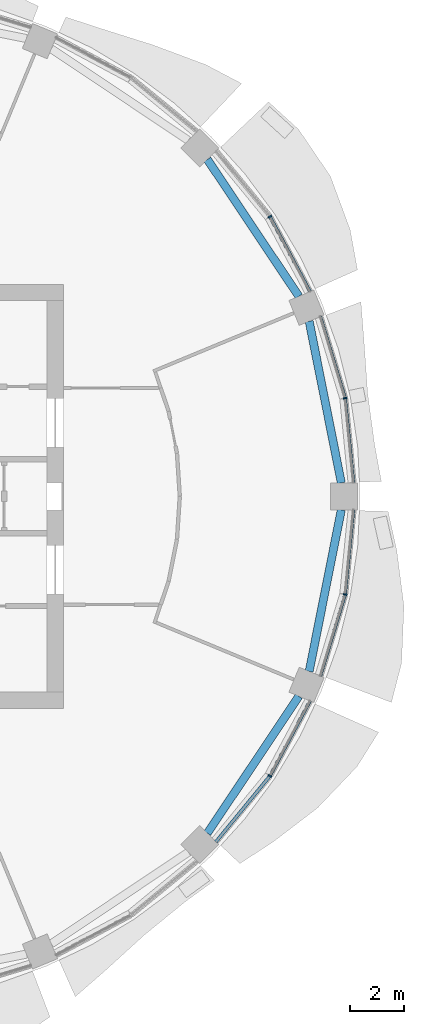
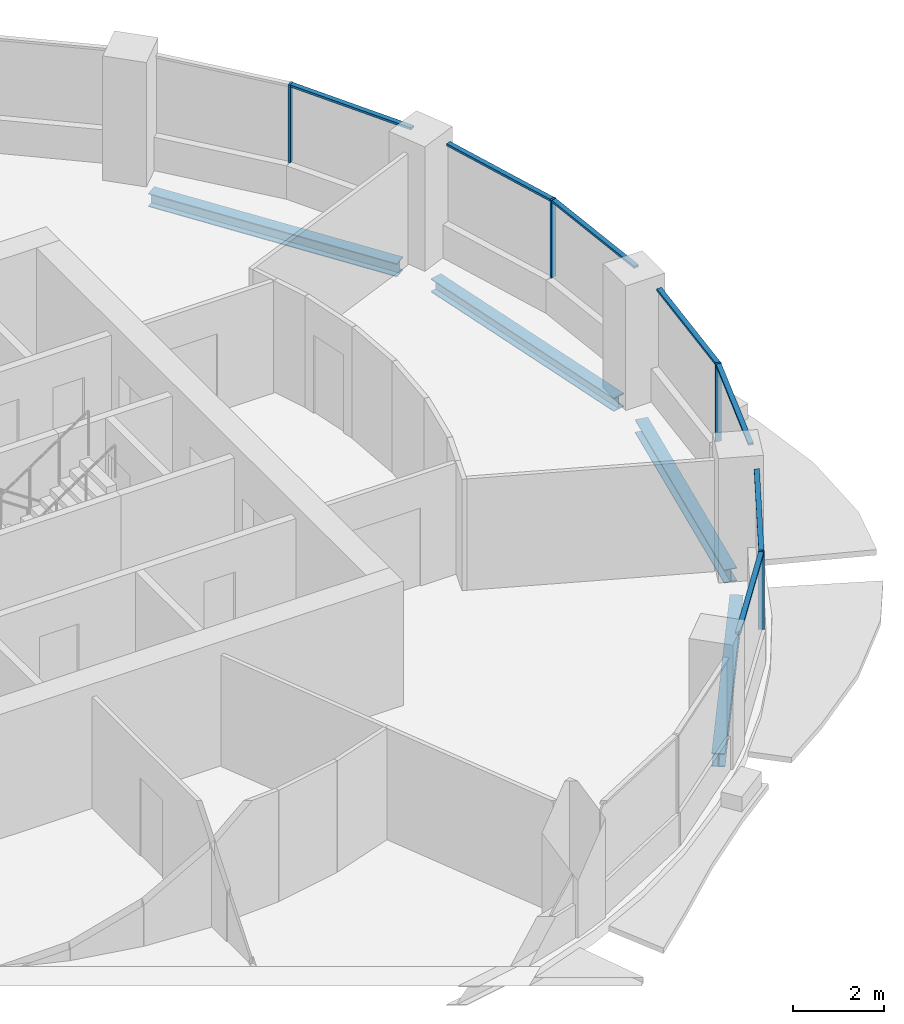
# One storey, part 5 of 14: 11 members, 4 beams, 4 elements without a shape of their own.
"""IFC4 building model written with IfcOpenShell, lengths in metres."""

from ifc_helpers import new_model, si_unit, direction, frame, origin, origin_2d, place, context, subcontext, project, spatial, rectangle, i_section, extrude, material, material_profile, profile_set, type_object, element, aggregate, save


model = new_model("IFC4")

# Units and contexts
model_context = context("Model", 3, precision=1e-05, world=origin(), true_north=direction((0.0, 1.0)))
body_context = subcontext(model_context, "Body", "Model", "MODEL_VIEW")
ifc_project = project(units=[si_unit("LENGTHUNIT", "METRE"), si_unit("AREAUNIT", "SQUARE_METRE"), si_unit("VOLUMEUNIT", "CUBIC_METRE"), si_unit("PLANEANGLEUNIT", "RADIAN"), si_unit("MASSUNIT", "GRAM", prefix="KILO")], contexts=[model_context])

# Site, building, storey
site_placement = place(None, origin())
site = spatial("IfcSite", under=ifc_project, at=site_placement, CompositionType="ELEMENT")
building_placement = place(site_placement, origin())
building = spatial("IfcBuilding", under=site, at=building_placement, Name="Polderwave Tower", CompositionType="ELEMENT")
storey_placement = place(building_placement, frame((0.0, 0.0, 147.75)))
storey = spatial("IfcBuildingStorey", under=building, at=storey_placement, Name="L39", CompositionType="ELEMENT", Elevation=147.75)

# Curtain wall, member
ifc_material_1 = material(Name="Aluminium 6063-T6 and glass", Category="aluminium")
curtain_wall_type = type_object("IfcCurtainWallType", Name="Office ribbon glazing wall", PredefinedType="NOTDEFINED", material=ifc_material_1)
curtain_wall_1_placement = place(storey_placement, origin())
curtain_wall_1 = element("IfcCurtainWall", 1, at=curtain_wall_1_placement, inside=storey, type_object=curtain_wall_type, Name="CW3 L39 00", PredefinedType="NOTDEFINED")
ifc_material_2 = material(Name="Aluminium 6063-T6", Category="aluminium")
ifc_material_profile_1 = material_profile(ifc_material_2, rectangle(XDim=0.139892578125, YDim=0.054931640625, at=origin_2d()), Name="AL 55x140")
ifc_profile_set_1 = profile_set([ifc_material_profile_1], Name="Aluminium 6063-T6")
member_type_1 = type_object("IfcMemberType", Name="Office ribbon glazing mullion 55x140", PredefinedType="MULLION", material=ifc_profile_set_1)
member_1_placement = place(storey_placement, frame((18.341064453125, 3.64794921875, 0.89990234375), z_axis=(0.0, 0.0, 1.0), x_axis=(-0.980764163857, -0.195196452055, 0.0)))
member_1 = element("IfcMember", 2, at=member_1_placement, type_object=member_type_1, Name="CW3 mullion 1", PredefinedType="MULLION", context=body_context, shape_type="SweptSolid", body=[
    extrude(rectangle(XDim=0.139892578125, YDim=0.054931640625, at=origin_2d()), origin(), (0.0, 0.0, 1.0), 2.10009765625),
])

curtain_wall_2_placement = place(storey_placement, origin())
curtain_wall_2 = element("IfcCurtainWall", 3, at=curtain_wall_2_placement, inside=storey, type_object=curtain_wall_type, Name="CW3 L39 01", PredefinedType="NOTDEFINED")
member_2_placement = place(storey_placement, frame((15.548095703125, 10.388916015625, 0.89990234375), z_axis=(0.0, 0.0, 1.0), x_axis=(-0.831508396395, -0.555512184136, 0.0)))
member_2 = element("IfcMember", 4, at=member_2_placement, type_object=member_type_1, Name="CW3 mullion 1", PredefinedType="MULLION", context=body_context, shape_type="SweptSolid", body=[
    extrude(rectangle(XDim=0.139892578125, YDim=0.054931640625, at=origin_2d()), origin(), (0.0, 0.0, 1.0), 2.10009765625),
])

curtain_wall_3_placement = place(storey_placement, origin())
curtain_wall_3 = element("IfcCurtainWall", 5, at=curtain_wall_3_placement, inside=storey, type_object=curtain_wall_type, Name="CW3 L39 14", PredefinedType="NOTDEFINED")
member_3_placement = place(storey_placement, frame((15.548095703125, -10.388916015625, 0.89990234375), z_axis=(0.0, 0.0, 1.0), x_axis=(-0.831508396395, 0.555512184136, 0.0)))
member_3 = element("IfcMember", 6, at=member_3_placement, type_object=member_type_1, Name="CW3 mullion 1", PredefinedType="MULLION", context=body_context, shape_type="SweptSolid", body=[
    extrude(rectangle(XDim=0.139892578125, YDim=0.054931640625, at=origin_2d()), origin(), (0.0, 0.0, 1.0), 2.10009765625),
])

curtain_wall_4_placement = place(storey_placement, origin())
curtain_wall_4 = element("IfcCurtainWall", 7, at=curtain_wall_4_placement, inside=storey, type_object=curtain_wall_type, Name="CW3 L39 15", PredefinedType="NOTDEFINED")
member_4_placement = place(storey_placement, frame((18.341064453125, -3.64794921875, 0.89990234375), z_axis=(0.0, 0.0, 1.0), x_axis=(-0.980764163857, 0.195196452055, 0.0)))
member_4 = element("IfcMember", 8, at=member_4_placement, type_object=member_type_1, Name="CW3 mullion 1", PredefinedType="MULLION", context=body_context, shape_type="SweptSolid", body=[
    extrude(rectangle(XDim=0.139892578125, YDim=0.054931640625, at=origin_2d()), origin(), (0.0, 0.0, 1.0), 2.10009765625),
])

# Member
ifc_material_profile_2 = material_profile(ifc_material_2, rectangle(XDim=0.1201171875, YDim=0.06005859375, at=origin_2d()), Name="AL 60x120")
ifc_profile_set_2 = profile_set([ifc_material_profile_2], Name="Aluminium 6063-T6")
member_type_2 = type_object("IfcMemberType", Name="Office ribbon glazing transom 60x120", PredefinedType="USERDEFINED", material=ifc_profile_set_2)
member_5_placement = place(storey_placement, frame((18.65087890625, 0.5, 2.969970703125), z_axis=(-0.097946420382, 0.995191689442, 0.0), x_axis=(-0.995191689442, -0.097946420382, 0.0)))
member_5 = element("IfcMember", 9, at=member_5_placement, type_object=member_type_2, Name="CW3 transom 1", ObjectType="TRANSOM", PredefinedType="USERDEFINED", context=body_context, shape_type="SweptSolid", body=[
    extrude(rectangle(XDim=0.1201171875, YDim=0.06005859375, at=origin_2d()), origin(), (0.0, 0.0, 1.0), 3.1357421875),
])

member_6_placement = place(storey_placement, frame((18.3330078125, 3.67431640625, 2.969970703125), z_axis=(-0.290467601512, 0.956884827172, 0.0), x_axis=(-0.956884827172, -0.290467601512, 0.0)))
member_6 = element("IfcMember", 10, at=member_6_placement, type_object=member_type_2, Name="CW3 transom 2", ObjectType="TRANSOM", PredefinedType="USERDEFINED", context=body_context, shape_type="SweptSolid", body=[
    extrude(rectangle(XDim=0.1201171875, YDim=0.06005859375, at=origin_2d()), origin(), (0.0, 0.0, 1.0), 3.135986328125),
])

aggregate(curtain_wall_1, [member_1, member_5, member_6])

member_7_placement = place(storey_placement, frame((17.0400390625, 7.59912109375, 2.969970703125), z_axis=(-0.471581867996, 0.881822284691, 0.0), x_axis=(-0.881822284691, -0.471581867996, 0.0)))
member_7 = element("IfcMember", 11, at=member_7_placement, type_object=member_type_2, Name="CW3 transom 1", ObjectType="TRANSOM", PredefinedType="USERDEFINED", context=body_context, shape_type="SweptSolid", body=[
    extrude(rectangle(XDim=0.1201171875, YDim=0.06005859375, at=origin_2d()), origin(), (0.0, 0.0, 1.0), 3.13623046875),
])

aggregate(curtain_wall_2, [member_2, member_7])

member_8_placement = place(storey_placement, frame((13.5419921875, -12.8349609375, 2.969970703125), z_axis=(0.634153141657, 0.773207470816, 0.0), x_axis=(-0.773207470816, 0.634153141657, 0.0)))
member_8 = element("IfcMember", 12, at=member_8_placement, type_object=member_type_2, Name="CW3 transom 1", ObjectType="TRANSOM", PredefinedType="USERDEFINED", context=body_context, shape_type="SweptSolid", body=[
    extrude(rectangle(XDim=0.1201171875, YDim=0.06005859375, at=origin_2d()), origin(), (0.0, 0.0, 1.0), 3.1357421875),
])

member_9_placement = place(storey_placement, frame((15.56103515625, -10.36474609375, 2.969970703125), z_axis=(0.471581867996, 0.881822284691, 0.0), x_axis=(-0.881822284691, 0.471581867996, 0.0)))
member_9 = element("IfcMember", 13, at=member_9_placement, type_object=member_type_2, Name="CW3 transom 2", ObjectType="TRANSOM", PredefinedType="USERDEFINED", context=body_context, shape_type="SweptSolid", body=[
    extrude(rectangle(XDim=0.1201171875, YDim=0.06005859375, at=origin_2d()), origin(), (0.0, 0.0, 1.0), 3.13623046875),
])

aggregate(curtain_wall_3, [member_3, member_8, member_9])

member_10_placement = place(storey_placement, frame((17.422119140625, -6.675048828125, 2.969970703125), z_axis=(0.290467601512, 0.956884827172, 0.0), x_axis=(-0.956884827172, 0.290467601512, 0.0)))
member_10 = element("IfcMember", 14, at=member_10_placement, type_object=member_type_2, Name="CW3 transom 1", ObjectType="TRANSOM", PredefinedType="USERDEFINED", context=body_context, shape_type="SweptSolid", body=[
    extrude(rectangle(XDim=0.1201171875, YDim=0.06005859375, at=origin_2d()), origin(), (0.0, 0.0, 1.0), 3.135986328125),
])

member_11_placement = place(storey_placement, frame((18.34375, -3.62060546875, 2.969970703125), z_axis=(0.097946420382, 0.995191689442, 0.0), x_axis=(-0.995191689442, 0.097946420382, 0.0)))
member_11 = element("IfcMember", 15, at=member_11_placement, type_object=member_type_2, Name="CW3 transom 2", ObjectType="TRANSOM", PredefinedType="USERDEFINED", context=body_context, shape_type="SweptSolid", body=[
    extrude(rectangle(XDim=0.1201171875, YDim=0.06005859375, at=origin_2d()), origin(), (0.0, 0.0, 1.0), 3.1357421875),
])

aggregate(curtain_wall_4, [member_4, member_10, member_11])

# Beams
ifc_material_3 = material(Name="Steel S355", Category="steel")
ifc_material_profile_3 = material_profile(ifc_material_3, i_section(OverallWidth=0.300048828125, OverallDepth=0.360107421875, WebThickness=0.012451171875, FlangeThickness=0.0224609375, at=origin_2d()), Name="HE 360 B")
ifc_profile_set_3 = profile_set([ifc_material_profile_3], Name="Steel S355")
beam_type = type_object("IfcBeamType", Name="RING BEAM HE 360 B", PredefinedType="BEAM", material=ifc_profile_set_3)
beam_1_placement = place(storey_placement, frame((18.200439453125, 0.5, -0.530029296875), z_axis=(-0.195088165617, 0.980785709335, 0.0), x_axis=(-0.980785709335, -0.195088165617, 0.0)))
element("IfcBeam", 16, at=beam_1_placement, inside=storey, type_object=beam_type, Name="ST-RB-L39-00", PredefinedType="BEAM", context=body_context, shape_type="SweptSolid", body=[
    extrude(i_section(OverallWidth=0.300048828125, OverallDepth=0.360107421875, WebThickness=0.012451171875, FlangeThickness=0.0224609375, at=origin_2d()), origin(), (0.0, 0.0, 1.0), 6.120849609375),
])
for number, where, z_axis, x_axis, name in (
    (17, (16.623779296875, 7.427001953125, -0.530029296875), (-0.555565167003, 0.831472997284, 0.0), (-0.831472997284, -0.555565167003, 0.0), "ST-RB-L39-01"),
    (18, (13.223388671875, -12.51611328125, -0.530029296875), (0.555565167003, 0.831472997284, 0.0), (-0.831472997284, 0.555565167003, 0.0), "ST-RB-L39-14"),
):
    element("IfcBeam", number, at=place(storey_placement, frame(where, z_axis=z_axis, x_axis=x_axis)), inside=storey, type_object=beam_type, Name=name, PredefinedType="BEAM", context=body_context, shape_type="SweptSolid", body=[
        extrude(i_section(OverallWidth=0.300048828125, OverallDepth=0.360107421875, WebThickness=0.012451171875, FlangeThickness=0.0224609375, at=origin_2d()), origin(), (0.0, 0.0, 1.0), 6.12060546875),
    ])
beam_2_placement = place(storey_placement, frame((17.00634765625, -6.503173828125, -0.530029296875), z_axis=(0.195088165617, 0.980785709335, 0.0), x_axis=(-0.980785709335, 0.195088165617, 0.0)))
element("IfcBeam", 19, at=beam_2_placement, inside=storey, type_object=beam_type, Name="ST-RB-L39-15", PredefinedType="BEAM", context=body_context, shape_type="SweptSolid", body=[
    extrude(i_section(OverallWidth=0.300048828125, OverallDepth=0.360107421875, WebThickness=0.012451171875, FlangeThickness=0.0224609375, at=origin_2d()), origin(), (0.0, 0.0, 1.0), 6.120849609375),
])

save(model, "model.ifc")
